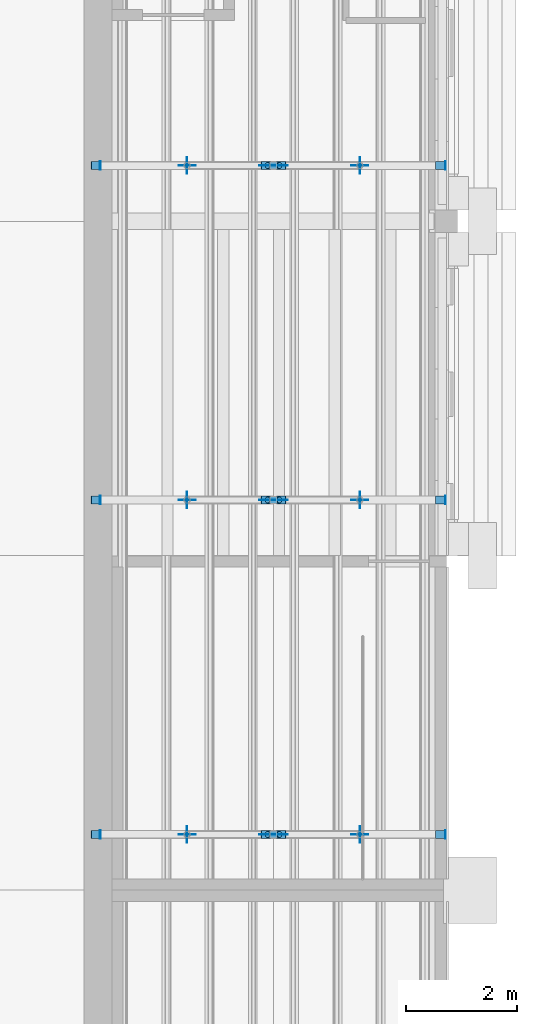
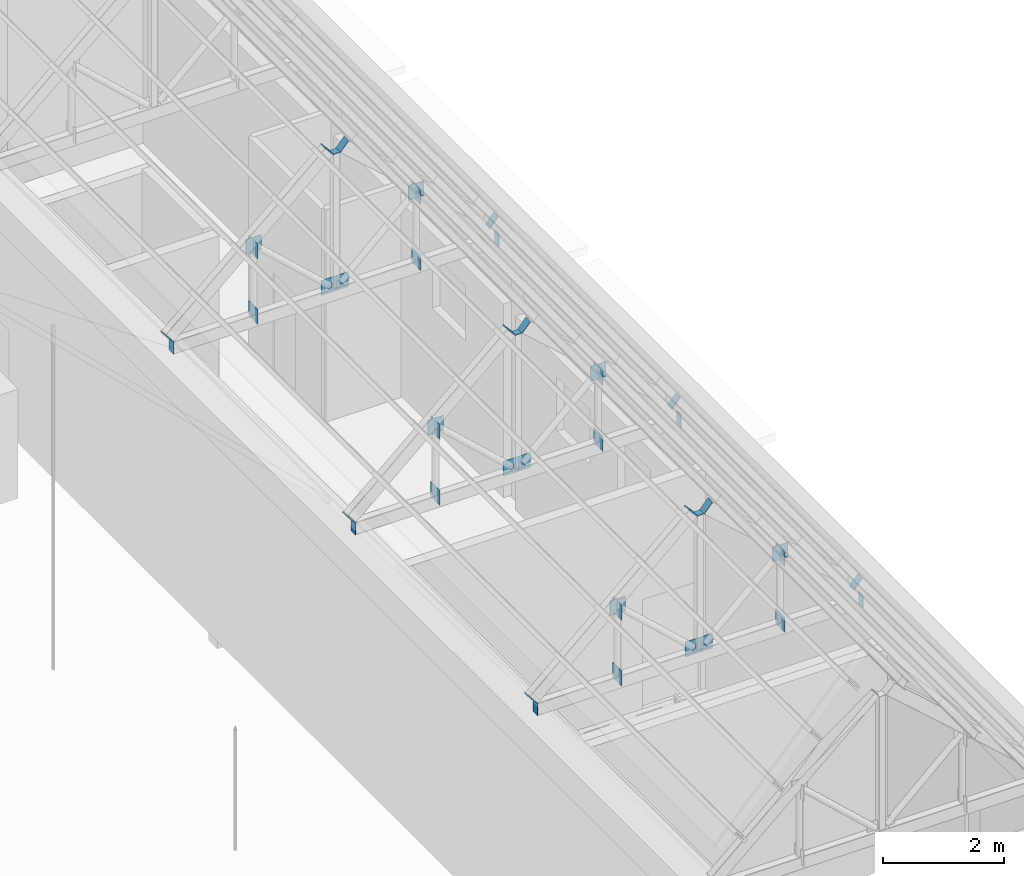
# One storey, part 105 of 118: 51 discrete accessories.
"""IFC4 building model written with IfcOpenShell, lengths in metres."""

from ifc_helpers import new_model, si_unit, direction, frame, origin, origin_2d, place, context, subcontext, project, spatial, rectangle, circle, extrude, material, material_profile, profile_set, type_object, element, save


model = new_model("IFC4")

# Units and contexts
model_context = context("Model", 3, precision=1e-05, world=origin(), true_north=direction((0.0, 1.0)))
body_context = subcontext(model_context, "Body", "Model", "MODEL_VIEW")
ifc_project = project(units=[si_unit("LENGTHUNIT", "METRE"), si_unit("AREAUNIT", "SQUARE_METRE"), si_unit("VOLUMEUNIT", "CUBIC_METRE"), si_unit("PLANEANGLEUNIT", "RADIAN"), si_unit("MASSUNIT", "GRAM", prefix="KILO")], contexts=[model_context])

# Site, building, storey
site_placement = place(None, origin())
site = spatial("IfcSite", under=ifc_project, at=site_placement, CompositionType="ELEMENT")
building_placement = place(site_placement, origin())
building = spatial("IfcBuilding", under=site, at=building_placement, Name="Saffron Lane Theatres", CompositionType="ELEMENT")
storey_placement = place(building_placement, frame((0.0, 0.0, 16.5)))
storey = spatial("IfcBuildingStorey", under=building, at=storey_placement, Name="L03", CompositionType="ELEMENT", Elevation=16.5)

# Discrete accessories
ifc_material_1 = material(Name="Steel Grade 350", Category="steel")
ifc_material_profile_1 = material_profile(ifc_material_1, rectangle(XDim=0.300048828125, YDim=0.300048828125, at=origin_2d()))
ifc_profile_set_1 = profile_set([ifc_material_profile_1], Name="Steel Grade 350")
discrete_accessory_type_1 = type_object("IfcDiscreteAccessoryType", Name="ST-GUSSET CONNECTION PLATE", PredefinedType="BRACKET", material=ifc_profile_set_1)
for number, where, z_axis, x_axis, name in (
    (1, (52.445068359375, 67.0, 4.75), (1.0, 0.0, 0.0), (0.0, 1.0, 0.0), "GB289"),
    (2, (52.445068359375, 67.0, 6.073486328125), (1.0, 0.0, 0.0), (0.0, 1.0, 0.0), "GB290"),
    (3, (49.344970703125, 67.0, 4.75), (1.0, 0.0, 0.0), (0.0, 1.0, 0.0), "GB291"),
    (4, (49.344970703125, 67.0, 6.073486328125), (1.0, 0.0, 0.0), (0.0, 1.0, 0.0), "GB292"),
):
    element("IfcDiscreteAccessory", number, at=place(storey_placement, frame(where, z_axis=z_axis, x_axis=x_axis)), inside=storey, type_object=discrete_accessory_type_1, Name=name, PredefinedType="BRACKET", context=body_context, shape_type="SweptSolid", body=[
        extrude(rectangle(XDim=0.300048828125, YDim=0.300048828125, at=origin_2d()), origin(), (0.0, 0.0, 1.0), 0.010009765625),
    ])
for number, where, z_axis, x_axis, name in (
    (5, (51.008056640625, 66.9951171875, 4.7919921875), (0.0, 1.0, 0.0), (-1.0, 0.0, 0.0), "GB293"),
    (6, (52.44580078125, 66.9951171875, 6.120361328125), (0.0, 1.0, 0.0), (-1.0, 0.0, 0.0), "GB294"),
    (7, (50.7919921875, 66.9951171875, 4.7919921875), (0.0, 1.0, 0.0), (-1.0, 0.0, 0.0), "GB295"),
    (8, (49.354248046875, 66.9951171875, 6.120361328125), (0.0, 1.0, 0.0), (-1.0, 0.0, 0.0), "GB296"),
):
    element("IfcDiscreteAccessory", number, at=place(storey_placement, frame(where, z_axis=z_axis, x_axis=x_axis)), inside=storey, type_object=discrete_accessory_type_1, Name=name, PredefinedType="BRACKET", context=body_context, shape_type="SweptSolid", body=[
        extrude(rectangle(XDim=0.300048828125, YDim=0.300048828125, at=origin_2d()), origin(), (0.0, 0.0, 1.0), 0.009765625),
    ])
for number, where, z_axis, x_axis, name in (
    (9, (52.445068359375, 73.0, 4.75), (1.0, 0.0, 0.0), (0.0, 1.0, 0.0), "GB297"),
    (10, (52.445068359375, 73.0, 6.073486328125), (1.0, 0.0, 0.0), (0.0, 1.0, 0.0), "GB298"),
    (11, (49.344970703125, 73.0, 4.75), (1.0, 0.0, 0.0), (0.0, 1.0, 0.0), "GB299"),
    (12, (49.344970703125, 73.0, 6.073486328125), (1.0, 0.0, 0.0), (0.0, 1.0, 0.0), "GB300"),
):
    element("IfcDiscreteAccessory", number, at=place(storey_placement, frame(where, z_axis=z_axis, x_axis=x_axis)), inside=storey, type_object=discrete_accessory_type_1, Name=name, PredefinedType="BRACKET", context=body_context, shape_type="SweptSolid", body=[
        extrude(rectangle(XDim=0.300048828125, YDim=0.300048828125, at=origin_2d()), origin(), (0.0, 0.0, 1.0), 0.010009765625),
    ])
for number, where, z_axis, x_axis, name in (
    (13, (51.008056640625, 72.9951171875, 4.7919921875), (0.0, 1.0, 0.0), (-1.0, 0.0, 0.0), "GB301"),
    (14, (52.44580078125, 72.9951171875, 6.120361328125), (0.0, 1.0, 0.0), (-1.0, 0.0, 0.0), "GB302"),
    (15, (50.7919921875, 72.9951171875, 4.7919921875), (0.0, 1.0, 0.0), (-1.0, 0.0, 0.0), "GB303"),
    (16, (49.354248046875, 72.9951171875, 6.120361328125), (0.0, 1.0, 0.0), (-1.0, 0.0, 0.0), "GB304"),
):
    element("IfcDiscreteAccessory", number, at=place(storey_placement, frame(where, z_axis=z_axis, x_axis=x_axis)), inside=storey, type_object=discrete_accessory_type_1, Name=name, PredefinedType="BRACKET", context=body_context, shape_type="SweptSolid", body=[
        extrude(rectangle(XDim=0.300048828125, YDim=0.300048828125, at=origin_2d()), origin(), (0.0, 0.0, 1.0), 0.009765625),
    ])
for number, where, z_axis, x_axis, name in (
    (17, (52.445068359375, 79.0, 4.75), (1.0, 0.0, 0.0), (0.0, 1.0, 0.0), "GB305"),
    (18, (52.445068359375, 79.0, 6.073486328125), (1.0, 0.0, 0.0), (0.0, 1.0, 0.0), "GB306"),
    (19, (49.344970703125, 79.0, 4.75), (1.0, 0.0, 0.0), (0.0, 1.0, 0.0), "GB307"),
    (20, (49.344970703125, 79.0, 6.073486328125), (1.0, 0.0, 0.0), (0.0, 1.0, 0.0), "GB308"),
):
    element("IfcDiscreteAccessory", number, at=place(storey_placement, frame(where, z_axis=z_axis, x_axis=x_axis)), inside=storey, type_object=discrete_accessory_type_1, Name=name, PredefinedType="BRACKET", context=body_context, shape_type="SweptSolid", body=[
        extrude(rectangle(XDim=0.300048828125, YDim=0.300048828125, at=origin_2d()), origin(), (0.0, 0.0, 1.0), 0.010009765625),
    ])
for number, where, z_axis, x_axis, name in (
    (21, (51.008056640625, 78.9951171875, 4.7919921875), (0.0, 1.0, 0.0), (-1.0, 0.0, 0.0), "GB309"),
    (22, (52.44580078125, 78.9951171875, 6.120361328125), (0.0, 1.0, 0.0), (-1.0, 0.0, 0.0), "GB310"),
    (23, (50.7919921875, 78.9951171875, 4.7919921875), (0.0, 1.0, 0.0), (-1.0, 0.0, 0.0), "GB311"),
    (24, (49.354248046875, 78.9951171875, 6.120361328125), (0.0, 1.0, 0.0), (-1.0, 0.0, 0.0), "GB312"),
):
    element("IfcDiscreteAccessory", number, at=place(storey_placement, frame(where, z_axis=z_axis, x_axis=x_axis)), inside=storey, type_object=discrete_accessory_type_1, Name=name, PredefinedType="BRACKET", context=body_context, shape_type="SweptSolid", body=[
        extrude(rectangle(XDim=0.300048828125, YDim=0.300048828125, at=origin_2d()), origin(), (0.0, 0.0, 1.0), 0.009765625),
    ])
ifc_material_2 = material(Name="Steel Grade 350", Category="steel")
ifc_material_profile_2 = material_profile(ifc_material_2, circle(Radius=0.05712890625, at=origin_2d()))
ifc_profile_set_2 = profile_set([ifc_material_profile_2], Name="Steel Grade 350")
discrete_accessory_type_2 = type_object("IfcDiscreteAccessoryType", Name="ST-STEEL END CAP 114.3x6.0 CHS", PredefinedType="ANCHORPLATE", material=ifc_profile_set_2)
discrete_accessory_1_placement = place(storey_placement, frame((50.9990234375, 67.0, 4.783935546875), z_axis=(0.746295434469, 0.0, 0.665614846958), x_axis=(0.0, 1.0, 0.0)))
element("IfcDiscreteAccessory", 25, at=discrete_accessory_1_placement, inside=storey, type_object=discrete_accessory_type_2, Name="EC415", PredefinedType="ANCHORPLATE", context=body_context, shape_type="SweptSolid", body=[
    extrude(circle(Radius=0.05712890625, at=origin_2d()), origin(), (0.0, 0.0, 1.0), 0.01220703125),
])
discrete_accessory_2_placement = place(storey_placement, frame((50.80078125, 67.0, 4.783935546875), z_axis=(-0.737154140201, 0.0, 0.675724628517), x_axis=(0.0, -1.0, 0.0)))
element("IfcDiscreteAccessory", 26, at=discrete_accessory_2_placement, inside=storey, type_object=discrete_accessory_type_2, Name="EC416", PredefinedType="ANCHORPLATE", context=body_context, shape_type="SweptSolid", body=[
    extrude(circle(Radius=0.05712890625, at=origin_2d()), origin(), (0.0, 0.0, 1.0), 0.011962890625),
])
discrete_accessory_3_placement = place(storey_placement, frame((50.9990234375, 73.0, 4.783935546875), z_axis=(0.746295434469, 0.0, 0.665614846958), x_axis=(0.0, 1.0, 0.0)))
element("IfcDiscreteAccessory", 27, at=discrete_accessory_3_placement, inside=storey, type_object=discrete_accessory_type_2, Name="EC424", PredefinedType="ANCHORPLATE", context=body_context, shape_type="SweptSolid", body=[
    extrude(circle(Radius=0.05712890625, at=origin_2d()), origin(), (0.0, 0.0, 1.0), 0.01220703125),
])
discrete_accessory_4_placement = place(storey_placement, frame((50.80078125, 73.0, 4.783935546875), z_axis=(-0.737154140201, 0.0, 0.675724628517), x_axis=(0.0, -1.0, 0.0)))
element("IfcDiscreteAccessory", 28, at=discrete_accessory_4_placement, inside=storey, type_object=discrete_accessory_type_2, Name="EC425", PredefinedType="ANCHORPLATE", context=body_context, shape_type="SweptSolid", body=[
    extrude(circle(Radius=0.05712890625, at=origin_2d()), origin(), (0.0, 0.0, 1.0), 0.011962890625),
])
discrete_accessory_5_placement = place(storey_placement, frame((50.9990234375, 79.0, 4.783935546875), z_axis=(0.746295434469, 0.0, 0.665614846958), x_axis=(0.0, 1.0, 0.0)))
element("IfcDiscreteAccessory", 29, at=discrete_accessory_5_placement, inside=storey, type_object=discrete_accessory_type_2, Name="EC433", PredefinedType="ANCHORPLATE", context=body_context, shape_type="SweptSolid", body=[
    extrude(circle(Radius=0.05712890625, at=origin_2d()), origin(), (0.0, 0.0, 1.0), 0.01220703125),
])
discrete_accessory_6_placement = place(storey_placement, frame((50.80078125, 79.0, 4.783935546875), z_axis=(-0.737154140201, 0.0, 0.675724628517), x_axis=(0.0, -1.0, 0.0)))
element("IfcDiscreteAccessory", 30, at=discrete_accessory_6_placement, inside=storey, type_object=discrete_accessory_type_2, Name="EC434", PredefinedType="ANCHORPLATE", context=body_context, shape_type="SweptSolid", body=[
    extrude(circle(Radius=0.05712890625, at=origin_2d()), origin(), (0.0, 0.0, 1.0), 0.011962890625),
])
ifc_material_3 = material(Name="Steel Grade 350", Category="steel")
ifc_material_profile_3 = material_profile(ifc_material_3, rectangle(XDim=0.125, YDim=0.125, at=origin_2d()))
ifc_profile_set_3 = profile_set([ifc_material_profile_3], Name="Steel Grade 350")
discrete_accessory_type_3 = type_object("IfcDiscreteAccessoryType", Name="ST-STEEL END CAP 125x125x6 SHS", PredefinedType="ANCHORPLATE", material=ifc_profile_set_3)
for number, where, z_axis, x_axis, name in (
    (31, (50.89990234375, 67.0, 7.44287109375), (0.0, 0.0, 1.0), (1.0, 0.0, 0.0), "EC414"),
    (32, (50.89990234375, 73.0, 7.44287109375), (0.0, 0.0, 1.0), (1.0, 0.0, 0.0), "EC423"),
    (33, (50.89990234375, 79.0, 7.44287109375), (0.0, 0.0, 1.0), (1.0, 0.0, 0.0), "EC432"),
):
    element("IfcDiscreteAccessory", number, at=place(storey_placement, frame(where, z_axis=z_axis, x_axis=x_axis)), inside=storey, type_object=discrete_accessory_type_3, Name=name, PredefinedType="ANCHORPLATE", context=body_context, shape_type="SweptSolid", body=[
        extrude(rectangle(XDim=0.125, YDim=0.125, at=origin_2d()), origin(), (0.0, 0.0, 1.0), 0.01220703125),
    ])
ifc_material_4 = material(Name="Steel Grade 350", Category="steel")
ifc_material_profile_4 = material_profile(ifc_material_4, rectangle(XDim=0.14990234375, YDim=0.25, at=origin_2d()))
ifc_profile_set_4 = profile_set([ifc_material_profile_4], Name="Steel Grade 350")
discrete_accessory_type_4 = type_object("IfcDiscreteAccessoryType", Name="ST-STEEL END CAP 250x150x9 RHS", PredefinedType="ANCHORPLATE", material=ifc_profile_set_4)
for number, where, z_axis, x_axis, name in (
    (34, (53.991943359375, 67.0, 4.625), (-1.0, 0.0, 0.0), (0.0, -1.0, 0.0), "EC408"),
    (35, (47.800048828125, 67.0, 4.625), (-1.0, 0.0, 0.0), (0.0, -1.0, 0.0), "EC409"),
    (36, (53.89599609375, 67.0, 5.00927734375), (-0.756363172452, 0.0, 0.654151932932), (0.0, -1.0, 0.0), "EC410"),
    (37, (51.04541015625, 67.0, 7.53662109375), (-0.756363172452, 0.0, 0.654151932932), (0.0, -1.0, 0.0), "EC411"),
    (38, (47.7080078125, 67.0, 4.835693359375), (0.756363172452, 0.0, 0.654151932932), (0.0, 1.0, 0.0), "EC412"),
    (39, (50.754638671875, 67.0, 7.53662109375), (0.756363172452, 0.0, 0.654151932932), (0.0, 1.0, 0.0), "EC413"),
    (40, (53.991943359375, 73.0, 4.625), (-1.0, 0.0, 0.0), (0.0, -1.0, 0.0), "EC417"),
    (41, (47.800048828125, 73.0, 4.625), (-1.0, 0.0, 0.0), (0.0, -1.0, 0.0), "EC418"),
    (42, (53.89599609375, 73.0, 5.00927734375), (-0.756363172452, 0.0, 0.654151932932), (0.0, -1.0, 0.0), "EC419"),
    (43, (51.04541015625, 73.0, 7.53662109375), (-0.756363172452, 0.0, 0.654151932932), (0.0, -1.0, 0.0), "EC420"),
    (44, (47.7080078125, 73.0, 4.835693359375), (0.756363172452, 0.0, 0.654151932932), (0.0, 1.0, 0.0), "EC421"),
    (45, (50.754638671875, 73.0, 7.53662109375), (0.756363172452, 0.0, 0.654151932932), (0.0, 1.0, 0.0), "EC422"),
    (46, (53.991943359375, 79.0, 4.625), (-1.0, 0.0, 0.0), (0.0, -1.0, 0.0), "EC426"),
    (47, (47.800048828125, 79.0, 4.625), (-1.0, 0.0, 0.0), (0.0, -1.0, 0.0), "EC427"),
    (48, (53.89599609375, 79.0, 5.00927734375), (-0.756363172452, 0.0, 0.654151932932), (0.0, -1.0, 0.0), "EC428"),
    (49, (51.04541015625, 79.0, 7.53662109375), (-0.756363172452, 0.0, 0.654151932932), (0.0, -1.0, 0.0), "EC429"),
    (50, (47.7080078125, 79.0, 4.835693359375), (0.756363172452, 0.0, 0.654151932932), (0.0, 1.0, 0.0), "EC430"),
    (51, (50.754638671875, 79.0, 7.53662109375), (0.756363172452, 0.0, 0.654151932932), (0.0, 1.0, 0.0), "EC431"),
):
    element("IfcDiscreteAccessory", number, at=place(storey_placement, frame(where, z_axis=z_axis, x_axis=x_axis)), inside=storey, type_object=discrete_accessory_type_4, Name=name, PredefinedType="ANCHORPLATE", context=body_context, shape_type="SweptSolid", body=[
        extrude(rectangle(XDim=0.14990234375, YDim=0.25, at=origin_2d()), origin(), (0.0, 0.0, 1.0), 0.011962890625),
    ])

save(model, "model.ifc")
